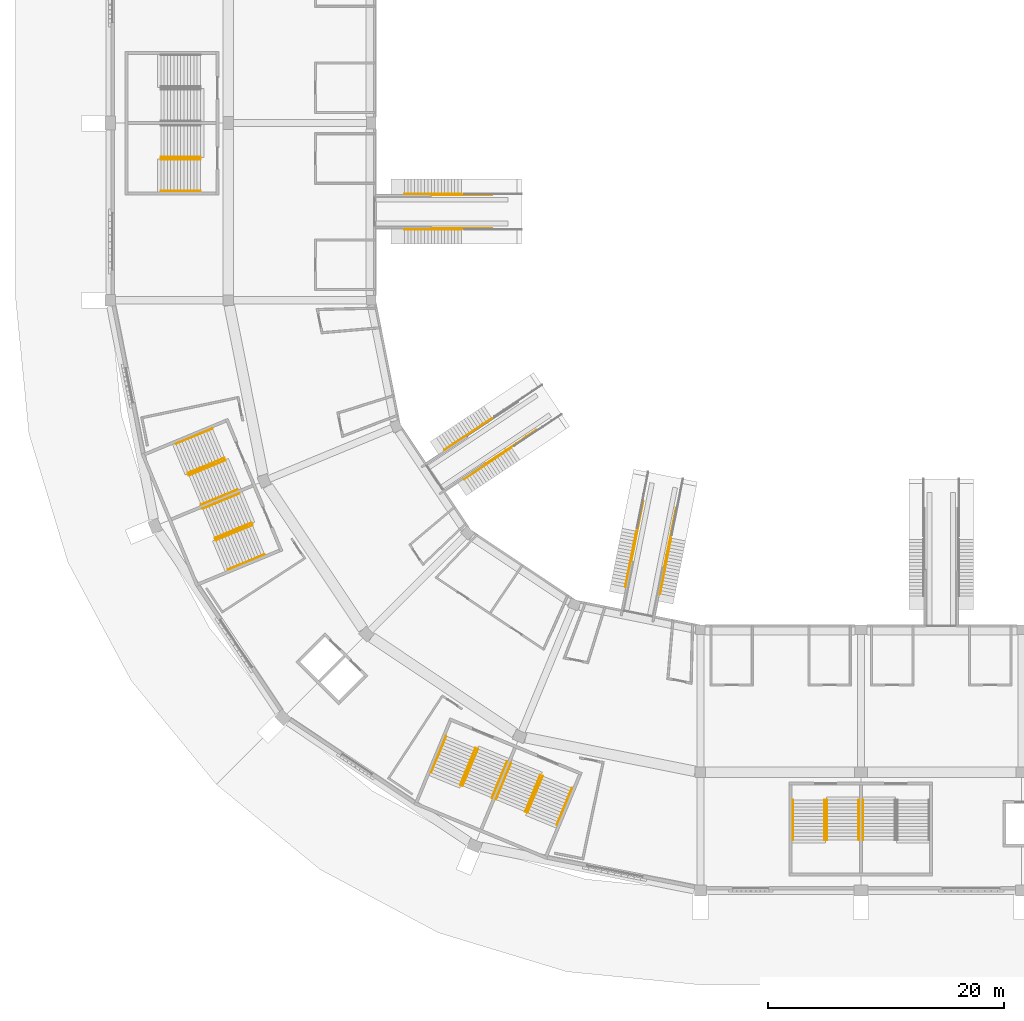
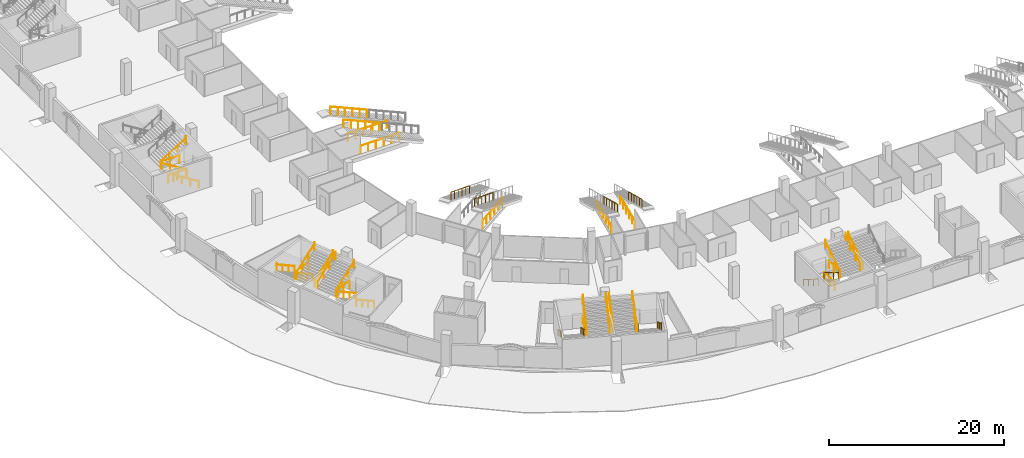
# One storey, part 154 of 175: 43 railings.
"""IFC4 building model written with IfcOpenShell, lengths in metres."""

from ifc_helpers import new_model, si_unit, direction, frame, origin, origin_2d, place, context, subcontext, project, spatial, circle, extrude, material, type_object, element, save


model = new_model("IFC4")

# Units and contexts
model_context = context("Model", 3, precision=1e-05, world=origin(), true_north=direction((0.0, 1.0)))
body_context = subcontext(model_context, "Body", "Model", "MODEL_VIEW")
ifc_project = project(units=[si_unit("LENGTHUNIT", "METRE"), si_unit("AREAUNIT", "SQUARE_METRE"), si_unit("VOLUMEUNIT", "CUBIC_METRE"), si_unit("PLANEANGLEUNIT", "RADIAN"), si_unit("MASSUNIT", "GRAM", prefix="KILO")], contexts=[model_context])

# Site, building, storey
site_placement = place(None, origin())
site = spatial("IfcSite", under=ifc_project, at=site_placement, CompositionType="ELEMENT")
building_placement = place(site_placement, origin())
building = spatial("IfcBuilding", under=site, at=building_placement, Name="Ogive Plaza Stadium", CompositionType="ELEMENT")
storey_placement = place(building_placement, origin())
storey = spatial("IfcBuildingStorey", under=building, at=storey_placement, Name="L00", CompositionType="ELEMENT", Elevation=0.0)

# Railings
ifc_material_1 = material(Name="Steel ASTM A572 Grade 50", Category="steel")
railing_type_1 = type_object("IfcRailingType", Name="Guard 1100", PredefinedType="GUARDRAIL", material=ifc_material_1)
for number, where, name in (
    (1, (-23.375, -94.85009765625, 0.0), "Stair well guard ST16A L00"),
    (2, (-23.375, -95.81005859375, 2.25), "Stair well guard ST16A L00"),
):
    element("IfcRailing", number, at=place(storey_placement, frame(where)), inside=storey, type_object=railing_type_1, Name=name, PredefinedType="GUARDRAIL", context=body_context, shape_type="SweptSolid", body=[
        extrude(circle(Radius=0.02392578125, at=origin_2d()), frame((0.0, 0.0, 1.076171875), z_axis=(0.0, -1.0, 0.0), x_axis=(1.0, 0.0, 0.0)), (0.0, 0.0, 1.0), 2.39990234375),
        extrude(circle(Radius=0.02099609375, at=origin_2d()), origin(), (0.0, 0.0, 1.0), 1.052001953125),
        extrude(circle(Radius=0.02099609375, at=origin_2d()), frame((0.0, -1.199951171875, 0.0)), (0.0, 0.0, 1.0), 1.052001953125),
        extrude(circle(Radius=0.02099609375, at=origin_2d()), frame((0.0, -2.39990234375, 0.0)), (0.0, 0.0, 1.0), 1.052001953125),
    ])
for number, where, name in (
    (3, (-53.322509765625, -91.374755859375, 2.25), "Stair well guard ST18A L00"),
    (4, (-47.825439453125, -93.651611328125, 2.25), "Stair well guard ST18B L00"),
):
    element("IfcRailing", number, at=place(storey_placement, frame(where)), inside=storey, type_object=railing_type_1, Name=name, PredefinedType="GUARDRAIL", context=body_context, shape_type="SweptSolid", body=[
        extrude(circle(Radius=0.02392578125, at=origin_2d()), frame((0.0, 0.0, 1.076171875), z_axis=(-0.382693194178, -0.923875488976, 0.0), x_axis=(0.923875488976, -0.382693194178, 0.0)), (0.0, 0.0, 1.0), 2.39990234375),
        extrude(circle(Radius=0.02099609375, at=origin_2d()), origin(), (0.0, 0.0, 1.0), 1.052001953125),
        extrude(circle(Radius=0.02099609375, at=origin_2d()), frame((-0.459228515625, -1.108642578125, 0.0)), (0.0, 0.0, 1.0), 1.052001953125),
        extrude(circle(Radius=0.02099609375, at=origin_2d()), frame((-0.91845703125, -2.21728515625, 0.0)), (0.0, 0.0, 1.0), 1.052001953125),
    ])
for number, where, name in (
    (5, (-75.151611328125, -66.325439453125, 2.25), "Stair well guard ST20A L00"),
    (6, (-72.874755859375, -71.822509765625, 2.25), "Stair well guard ST20B L00"),
):
    element("IfcRailing", number, at=place(storey_placement, frame(where)), inside=storey, type_object=railing_type_1, Name=name, PredefinedType="GUARDRAIL", context=body_context, shape_type="SweptSolid", body=[
        extrude(circle(Radius=0.02392578125, at=origin_2d()), frame((0.0, 0.0, 1.076171875), z_axis=(-0.923875488976, -0.382693194178, 0.0), x_axis=(0.382693194178, -0.923875488976, 0.0)), (0.0, 0.0, 1.0), 2.39990234375),
        extrude(circle(Radius=0.02099609375, at=origin_2d()), origin(), (0.0, 0.0, 1.0), 1.052001953125),
        extrude(circle(Radius=0.02099609375, at=origin_2d()), frame((-1.108642578125, -0.459228515625, 0.0)), (0.0, 0.0, 1.0), 1.052001953125),
        extrude(circle(Radius=0.02099609375, at=origin_2d()), frame((-2.21728515625, -0.91845703125, 0.0)), (0.0, 0.0, 1.0), 1.052001953125),
    ])
for number, where, name in (
    (7, (-76.35009765625, -40.47509765625, 0.0), "Stair well guard ST22B L00"),
    (8, (-77.31005859375, -40.47509765625, 2.25), "Stair well guard ST22B L00"),
):
    element("IfcRailing", number, at=place(storey_placement, frame(where)), inside=storey, type_object=railing_type_1, Name=name, PredefinedType="GUARDRAIL", context=body_context, shape_type="SweptSolid", body=[
        extrude(circle(Radius=0.02392578125, at=origin_2d()), frame((0.0, 0.0, 1.076171875), z_axis=(-1.0, 0.0, 0.0), x_axis=(0.0, -1.0, 0.0)), (0.0, 0.0, 1.0), 2.39990234375),
        extrude(circle(Radius=0.02099609375, at=origin_2d()), origin(), (0.0, 0.0, 1.0), 1.052001953125),
        extrude(circle(Radius=0.02099609375, at=origin_2d()), frame((-1.199951171875, 0.0, 0.0)), (0.0, 0.0, 1.0), 1.052001953125),
        extrude(circle(Radius=0.02099609375, at=origin_2d()), frame((-2.39990234375, 0.0, 0.0)), (0.0, 0.0, 1.0), 1.052001953125),
    ])
railing_1_placement = place(storey_placement, frame((-39.421875, -72.068359375, 2.375)))
element("IfcRailing", 9, at=railing_1_placement, inside=storey, type_object=railing_type_1, Name="Vomitory guard B17", PredefinedType="GUARDRAIL", context=body_context, shape_type="SweptSolid", body=[
    extrude(circle(Radius=0.02392578125, at=origin_2d()), frame((0.0, 0.0, 1.076171875), z_axis=(-0.178448795571, -0.897345164841, 0.403643013684), x_axis=(0.980794534709, -0.195043791709, 0.0)), (0.0, 0.0, 1.0), 5.2646484375),
    extrude(circle(Radius=0.02099609375, at=origin_2d()), origin(), (0.0, 0.0, 1.0), 1.052001953125),
    extrude(circle(Radius=0.02099609375, at=origin_2d()), frame((-0.18798828125, -0.94482421875, 0.425048828125)), (0.0, 0.0, 1.0), 1.052001953125),
    extrude(circle(Radius=0.02099609375, at=origin_2d()), frame((-0.375732421875, -1.8896484375, 0.85009765625)), (0.0, 0.0, 1.0), 1.052001953125),
    extrude(circle(Radius=0.02099609375, at=origin_2d()), frame((-0.563720703125, -2.83447265625, 1.27490234375)), (0.0, 0.0, 1.0), 1.052001953125),
    extrude(circle(Radius=0.02099609375, at=origin_2d()), frame((-0.75146484375, -3.779296875, 1.699951171875)), (0.0, 0.0, 1.0), 1.052001953125),
    extrude(circle(Radius=0.02099609375, at=origin_2d()), frame((-0.939453125, -4.72412109375, 2.125)), (0.0, 0.0, 1.0), 1.052001953125),
])
railing_2_placement = place(storey_placement, frame((-36.4794921875, -72.653564453125, 2.375)))
element("IfcRailing", 10, at=railing_2_placement, inside=storey, type_object=railing_type_1, Name="Vomitory guard B17", PredefinedType="GUARDRAIL", context=body_context, shape_type="SweptSolid", body=[
    extrude(circle(Radius=0.02392578125, at=origin_2d()), frame((0.0, 0.0, 1.076171875), z_axis=(-0.178493692695, -0.897337738024, 0.403639672959), x_axis=(0.980784837267, -0.1950925498, 0.0)), (0.0, 0.0, 1.0), 5.2646484375),
    extrude(circle(Radius=0.02099609375, at=origin_2d()), origin(), (0.0, 0.0, 1.0), 1.052001953125),
    extrude(circle(Radius=0.02099609375, at=origin_2d()), frame((-0.18798828125, -0.94482421875, 0.425048828125)), (0.0, 0.0, 1.0), 1.052001953125),
    extrude(circle(Radius=0.02099609375, at=origin_2d()), frame((-0.3759765625, -1.8896484375, 0.85009765625)), (0.0, 0.0, 1.0), 1.052001953125),
    extrude(circle(Radius=0.02099609375, at=origin_2d()), frame((-0.563720703125, -2.83447265625, 1.27490234375)), (0.0, 0.0, 1.0), 1.052001953125),
    extrude(circle(Radius=0.02099609375, at=origin_2d()), frame((-0.751708984375, -3.779296875, 1.699951171875)), (0.0, 0.0, 1.0), 1.052001953125),
    extrude(circle(Radius=0.02099609375, at=origin_2d()), frame((-0.939697265625, -4.72412109375, 2.125)), (0.0, 0.0, 1.0), 1.052001953125),
])
for number, where, name in (
    (11, (-38.834716796875, -69.52734375, 0.0), "Vomitory edge guard B17"),
    (12, (-36.04931640625, -70.081298828125, 0.0), "Vomitory edge guard B17"),
):
    element("IfcRailing", number, at=place(storey_placement, frame(where)), inside=storey, type_object=railing_type_1, Name=name, PredefinedType="GUARDRAIL", context=body_context, shape_type="SweptSolid", body=[
        extrude(circle(Radius=0.02392578125, at=origin_2d()), frame((0.0, 0.0, 1.076171875), z_axis=(-0.195105414578, -0.980782278185, 0.0), x_axis=(0.980782278185, -0.195105414578, 0.0)), (0.0, 0.0, 1.0), 5.15673828125),
        extrude(circle(Radius=0.02099609375, at=origin_2d()), origin(), (0.0, 0.0, 1.0), 1.052001953125),
        extrude(circle(Radius=0.02099609375, at=origin_2d()), frame((-0.201171875, -1.011474609375, 0.0)), (0.0, 0.0, 1.0), 1.052001953125),
        extrude(circle(Radius=0.02099609375, at=origin_2d()), frame((-0.40234375, -2.02294921875, 0.0)), (0.0, 0.0, 1.0), 1.052001953125),
        extrude(circle(Radius=0.02099609375, at=origin_2d()), frame((-0.603759765625, -3.03466796875, 0.0)), (0.0, 0.0, 1.0), 1.052001953125),
        extrude(circle(Radius=0.02099609375, at=origin_2d()), frame((-0.804931640625, -4.046142578125, 0.0)), (0.0, 0.0, 1.0), 1.052001953125),
        extrude(circle(Radius=0.02099609375, at=origin_2d()), frame((-1.006103515625, -5.0576171875, 0.0)), (0.0, 0.0, 1.0), 1.052001953125),
    ])
for number, where, name in (
    (13, (-51.670654296875, -62.503173828125, 2.375), "Vomitory guard B19"),
    (14, (-50.00390625, -64.99755859375, 2.375), "Vomitory guard B19"),
):
    element("IfcRailing", number, at=place(storey_placement, frame(where)), inside=storey, type_object=railing_type_1, Name=name, PredefinedType="GUARDRAIL", context=body_context, shape_type="SweptSolid", body=[
        extrude(circle(Radius=0.02392578125, at=origin_2d()), frame((0.0, 0.0, 1.076171875), z_axis=(-0.760721903755, -0.508307290116, 0.403640785801), x_axis=(0.555577158095, -0.831464985073, 0.0)), (0.0, 0.0, 1.0), 5.2646484375),
        extrude(circle(Radius=0.02099609375, at=origin_2d()), origin(), (0.0, 0.0, 1.0), 1.052001953125),
        extrude(circle(Radius=0.02099609375, at=origin_2d()), frame((-0.801025390625, -0.53515625, 0.425048828125)), (0.0, 0.0, 1.0), 1.052001953125),
        extrude(circle(Radius=0.02099609375, at=origin_2d()), frame((-1.60205078125, -1.0703125, 0.85009765625)), (0.0, 0.0, 1.0), 1.052001953125),
        extrude(circle(Radius=0.02099609375, at=origin_2d()), frame((-2.40283203125, -1.605712890625, 1.27490234375)), (0.0, 0.0, 1.0), 1.052001953125),
        extrude(circle(Radius=0.02099609375, at=origin_2d()), frame((-3.203857421875, -2.140869140625, 1.699951171875)), (0.0, 0.0, 1.0), 1.052001953125),
        extrude(circle(Radius=0.02099609375, at=origin_2d()), frame((-4.0048828125, -2.676025390625, 2.125)), (0.0, 0.0, 1.0), 1.052001953125),
    ])
railing_3_placement = place(storey_placement, frame((-47.881103515625, -63.48291015625, 0.0)))
element("IfcRailing", 15, at=railing_3_placement, inside=storey, type_object=railing_type_1, Name="Vomitory edge guard B19", PredefinedType="GUARDRAIL", context=body_context, shape_type="SweptSolid", body=[
    extrude(circle(Radius=0.02392578125, at=origin_2d()), frame((0.0, 0.0, 1.076171875), z_axis=(-0.831481711871, -0.555552124308, 0.0), x_axis=(0.555552124308, -0.831481711871, 0.0)), (0.0, 0.0, 1.0), 5.156494140625),
    extrude(circle(Radius=0.02099609375, at=origin_2d()), origin(), (0.0, 0.0, 1.0), 1.052001953125),
    extrude(circle(Radius=0.02099609375, at=origin_2d()), frame((-0.857421875, -0.572998046875, 0.0)), (0.0, 0.0, 1.0), 1.052001953125),
    extrude(circle(Radius=0.02099609375, at=origin_2d()), frame((-1.715087890625, -1.14599609375, 0.0)), (0.0, 0.0, 1.0), 1.052001953125),
    extrude(circle(Radius=0.02099609375, at=origin_2d()), frame((-2.572509765625, -1.71875, 0.0)), (0.0, 0.0, 1.0), 1.052001953125),
    extrude(circle(Radius=0.02099609375, at=origin_2d()), frame((-3.43017578125, -2.291748046875, 0.0)), (0.0, 0.0, 1.0), 1.052001953125),
    extrude(circle(Radius=0.02099609375, at=origin_2d()), frame((-4.28759765625, -2.86474609375, 0.0)), (0.0, 0.0, 1.0), 1.052001953125),
])
for number, where, name in (
    (16, (-54.25, -43.5, 2.375), "Vomitory guard B21"),
    (17, (-54.25, -46.5, 2.375), "Vomitory guard B21"),
):
    element("IfcRailing", number, at=place(storey_placement, frame(where)), inside=storey, type_object=railing_type_1, Name=name, PredefinedType="GUARDRAIL", context=body_context, shape_type="SweptSolid", body=[
        extrude(circle(Radius=0.02392578125, at=origin_2d()), frame((0.0, 0.0, 1.076171875), z_axis=(-0.914917297869, 0.0, 0.403641348302), x_axis=(0.0, -1.0, 0.0)), (0.0, 0.0, 1.0), 5.2646484375),
        extrude(circle(Radius=0.02099609375, at=origin_2d()), origin(), (0.0, 0.0, 1.0), 1.052001953125),
        extrude(circle(Radius=0.02099609375, at=origin_2d()), frame((-0.96337890625, 0.0, 0.425048828125)), (0.0, 0.0, 1.0), 1.052001953125),
        extrude(circle(Radius=0.02099609375, at=origin_2d()), frame((-1.9267578125, 0.0, 0.85009765625)), (0.0, 0.0, 1.0), 1.052001953125),
        extrude(circle(Radius=0.02099609375, at=origin_2d()), frame((-2.889892578125, 0.0, 1.27490234375)), (0.0, 0.0, 1.0), 1.052001953125),
        extrude(circle(Radius=0.02099609375, at=origin_2d()), frame((-3.853271484375, 0.0, 1.699951171875)), (0.0, 0.0, 1.0), 1.052001953125),
        extrude(circle(Radius=0.02099609375, at=origin_2d()), frame((-4.816650390625, 0.0, 2.125)), (0.0, 0.0, 1.0), 1.052001953125),
    ])
for number, where, name in (
    (18, (-51.643310546875, -43.580078125, 0.0), "Vomitory edge guard B21"),
    (19, (-51.643310546875, -46.419921875, 0.0), "Vomitory edge guard B21"),
):
    element("IfcRailing", number, at=place(storey_placement, frame(where)), inside=storey, type_object=railing_type_1, Name=name, PredefinedType="GUARDRAIL", context=body_context, shape_type="SweptSolid", body=[
        extrude(circle(Radius=0.02392578125, at=origin_2d()), frame((0.0, 0.0, 1.076171875), z_axis=(-1.0, 0.0, 0.0), x_axis=(0.0, -1.0, 0.0)), (0.0, 0.0, 1.0), 5.15673828125),
        extrude(circle(Radius=0.02099609375, at=origin_2d()), origin(), (0.0, 0.0, 1.0), 1.052001953125),
        extrude(circle(Radius=0.02099609375, at=origin_2d()), frame((-1.03125, 0.0, 0.0)), (0.0, 0.0, 1.0), 1.052001953125),
        extrude(circle(Radius=0.02099609375, at=origin_2d()), frame((-2.062744140625, 0.0, 0.0)), (0.0, 0.0, 1.0), 1.052001953125),
        extrude(circle(Radius=0.02099609375, at=origin_2d()), frame((-3.093994140625, 0.0, 0.0)), (0.0, 0.0, 1.0), 1.052001953125),
        extrude(circle(Radius=0.02099609375, at=origin_2d()), frame((-4.12548828125, 0.0, 0.0)), (0.0, 0.0, 1.0), 1.052001953125),
        extrude(circle(Radius=0.02099609375, at=origin_2d()), frame((-5.15673828125, 0.0, 0.0)), (0.0, 0.0, 1.0), 1.052001953125),
    ])
ifc_material_2 = material(Name="Steel ASTM A572 Grade 50", Category="steel")
railing_type_2 = type_object("IfcRailingType", Name="Handrail 900", PredefinedType="HANDRAIL", material=ifc_material_2)
for number, where, name in (
    (20, (-26.1650390625, -94.85009765625, 0.173095703125), "Handrail ST16A L00"),
    (21, (-23.485107421875, -94.85009765625, 0.173095703125), "Handrail ST16A L00"),
):
    element("IfcRailing", number, at=place(storey_placement, frame(where)), inside=storey, type_object=railing_type_2, Name=name, PredefinedType="HANDRAIL", context=body_context, shape_type="SweptSolid", body=[
        extrude(circle(Radius=0.02392578125, at=origin_2d()), frame((0.0, 0.0, 0.8759765625), z_axis=(0.0, -0.850606129759, 0.525803396734), x_axis=(1.0, 0.0, 0.0)), (0.0, 0.0, 1.0), 3.949951171875),
        extrude(circle(Radius=0.02099609375, at=origin_2d()), origin(), (0.0, 0.0, 1.0), 0.851806640625),
        extrude(circle(Radius=0.02099609375, at=origin_2d()), frame((0.0, -1.119873046875, 0.6923828125)), (0.0, 0.0, 1.0), 0.851806640625),
        extrude(circle(Radius=0.02099609375, at=origin_2d()), frame((0.0, -2.239990234375, 1.384521484375)), (0.0, 0.0, 1.0), 0.851806640625),
        extrude(circle(Radius=0.02099609375, at=origin_2d()), frame((0.0, -3.35986328125, 2.076904296875)), (0.0, 0.0, 1.0), 1.10009765625),
    ])
for number, where, name in (
    (22, (-23.264892578125, -98.2099609375, 2.423095703125), "Handrail ST16A L00"),
    (23, (-20.5849609375, -98.2099609375, 2.423095703125), "Handrail ST16A L00"),
    (24, (-20.215087890625, -98.2099609375, 2.423095703125), "Handrail ST16B L00"),
):
    element("IfcRailing", number, at=place(storey_placement, frame(where)), inside=storey, type_object=railing_type_2, Name=name, PredefinedType="HANDRAIL", context=body_context, shape_type="SweptSolid", body=[
        extrude(circle(Radius=0.02392578125, at=origin_2d()), frame((0.0, 0.0, 0.8759765625), z_axis=(0.0, 0.850606129759, 0.525803396734), x_axis=(-1.0, 0.0, 0.0)), (0.0, 0.0, 1.0), 3.949951171875),
        extrude(circle(Radius=0.02099609375, at=origin_2d()), origin(), (0.0, 0.0, 1.0), 0.851806640625),
        extrude(circle(Radius=0.02099609375, at=origin_2d()), frame((0.0, 1.119873046875, 0.6923828125)), (0.0, 0.0, 1.0), 0.851806640625),
        extrude(circle(Radius=0.02099609375, at=origin_2d()), frame((0.0, 2.239990234375, 1.384521484375)), (0.0, 0.0, 1.0), 0.851806640625),
        extrude(circle(Radius=0.02099609375, at=origin_2d()), frame((0.0, 3.35986328125, 2.076904296875)), (0.0, 0.0, 1.0), 1.10009765625),
    ])
railing_4_placement = place(storey_placement, frame((-55.53271484375, -89.420166015625, 0.173095703125)))
element("IfcRailing", 25, at=railing_4_placement, inside=storey, type_object=railing_type_2, Name="Handrail ST18A L00", PredefinedType="HANDRAIL", context=body_context, shape_type="SweptSolid", body=[
    extrude(circle(Radius=0.02392578125, at=origin_2d()), frame((0.0, 0.0, 0.8759765625), z_axis=(-0.32553207776, -0.785862990074, 0.525783441334), x_axis=(0.923872479269, -0.382700459954, 0.0)), (0.0, 0.0, 1.0), 3.9501953125),
    extrude(circle(Radius=0.02099609375, at=origin_2d()), origin(), (0.0, 0.0, 1.0), 0.851806640625),
    extrude(circle(Radius=0.02099609375, at=origin_2d()), frame((-0.4287109375, -1.03466796875, 0.6923828125)), (0.0, 0.0, 1.0), 0.851806640625),
    extrude(circle(Radius=0.02099609375, at=origin_2d()), frame((-0.857177734375, -2.069580078125, 1.384521484375)), (0.0, 0.0, 1.0), 0.851806640625),
    extrude(circle(Radius=0.02099609375, at=origin_2d()), frame((-1.285888671875, -3.104248046875, 2.076904296875)), (0.0, 0.0, 1.0), 1.10009765625),
])
railing_5_placement = place(storey_placement, frame((-53.056884765625, -90.44580078125, 0.173095703125)))
element("IfcRailing", 26, at=railing_5_placement, inside=storey, type_object=railing_type_2, Name="Handrail ST18A L00", PredefinedType="HANDRAIL", context=body_context, shape_type="SweptSolid", body=[
    extrude(circle(Radius=0.02392578125, at=origin_2d()), frame((0.0, 0.0, 0.8759765625), z_axis=(-0.325476819766, -0.785878800478, 0.525794019321), x_axis=(0.923898168054, -0.382638439086, 0.0)), (0.0, 0.0, 1.0), 3.949951171875),
    extrude(circle(Radius=0.02099609375, at=origin_2d()), origin(), (0.0, 0.0, 1.0), 0.851806640625),
    extrude(circle(Radius=0.02099609375, at=origin_2d()), frame((-0.428466796875, -1.03466796875, 0.6923828125)), (0.0, 0.0, 1.0), 0.851806640625),
    extrude(circle(Radius=0.02099609375, at=origin_2d()), frame((-0.857177734375, -2.069580078125, 1.384521484375)), (0.0, 0.0, 1.0), 0.851806640625),
    extrude(circle(Radius=0.02099609375, at=origin_2d()), frame((-1.28564453125, -3.104248046875, 2.076904296875)), (0.0, 0.0, 1.0), 1.10009765625),
])
railing_6_placement = place(storey_placement, frame((-54.139404296875, -93.634033203125, 2.423095703125)))
element("IfcRailing", 27, at=railing_6_placement, inside=storey, type_object=railing_type_2, Name="Handrail ST18A L00", PredefinedType="HANDRAIL", context=body_context, shape_type="SweptSolid", body=[
    extrude(circle(Radius=0.02392578125, at=origin_2d()), frame((0.0, 0.0, 0.8759765625), z_axis=(0.325547889718, 0.78583935255, 0.525808980033), x_axis=(-0.923861836433, 0.382726151683, 0.0)), (0.0, 0.0, 1.0), 3.949951171875),
    extrude(circle(Radius=0.02099609375, at=origin_2d()), origin(), (0.0, 0.0, 1.0), 0.851806640625),
    extrude(circle(Radius=0.02099609375, at=origin_2d()), frame((0.4287109375, 1.03466796875, 0.6923828125)), (0.0, 0.0, 1.0), 0.851806640625),
    extrude(circle(Radius=0.02099609375, at=origin_2d()), frame((0.857177734375, 2.0693359375, 1.384521484375)), (0.0, 0.0, 1.0), 0.851806640625),
    extrude(circle(Radius=0.02099609375, at=origin_2d()), frame((1.285888671875, 3.10400390625, 2.076904296875)), (0.0, 0.0, 1.0), 1.10009765625),
])
railing_7_placement = place(storey_placement, frame((-51.663330078125, -94.65966796875, 2.423095703125)))
element("IfcRailing", 28, at=railing_7_placement, inside=storey, type_object=railing_type_2, Name="Handrail ST18A L00", PredefinedType="HANDRAIL", context=body_context, shape_type="SweptSolid", body=[
    extrude(circle(Radius=0.02392578125, at=origin_2d()), frame((0.0, 0.0, 0.8759765625), z_axis=(0.32553207776, 0.785862990074, 0.525783441334), x_axis=(-0.923872479269, 0.382700459954, 0.0)), (0.0, 0.0, 1.0), 3.9501953125),
    extrude(circle(Radius=0.02099609375, at=origin_2d()), origin(), (0.0, 0.0, 1.0), 0.851806640625),
    extrude(circle(Radius=0.02099609375, at=origin_2d()), frame((0.4287109375, 1.03466796875, 0.6923828125)), (0.0, 0.0, 1.0), 0.851806640625),
    extrude(circle(Radius=0.02099609375, at=origin_2d()), frame((0.857177734375, 2.069580078125, 1.384521484375)), (0.0, 0.0, 1.0), 0.851806640625),
    extrude(circle(Radius=0.02099609375, at=origin_2d()), frame((1.285888671875, 3.104248046875, 2.076904296875)), (0.0, 0.0, 1.0), 1.10009765625),
])
for number, where, name in (
    (29, (-47.3564453125, -92.806884765625, 0.173095703125), "Handrail ST18B L00"),
    (30, (-44.88037109375, -93.83251953125, 0.173095703125), "Handrail ST18B L00"),
):
    element("IfcRailing", number, at=place(storey_placement, frame(where)), inside=storey, type_object=railing_type_2, Name=name, PredefinedType="HANDRAIL", context=body_context, shape_type="SweptSolid", body=[
        extrude(circle(Radius=0.02392578125, at=origin_2d()), frame((0.0, 0.0, 0.8759765625), z_axis=(-0.32553207776, -0.785862990074, 0.525783441334), x_axis=(0.923872479269, -0.382700459954, 0.0)), (0.0, 0.0, 1.0), 3.9501953125),
        extrude(circle(Radius=0.02099609375, at=origin_2d()), origin(), (0.0, 0.0, 1.0), 0.851806640625),
        extrude(circle(Radius=0.02099609375, at=origin_2d()), frame((-0.4287109375, -1.03466796875, 0.6923828125)), (0.0, 0.0, 1.0), 0.851806640625),
        extrude(circle(Radius=0.02099609375, at=origin_2d()), frame((-0.857177734375, -2.069580078125, 1.384521484375)), (0.0, 0.0, 1.0), 0.851806640625),
        extrude(circle(Radius=0.02099609375, at=origin_2d()), frame((-1.285888671875, -3.104248046875, 2.076904296875)), (0.0, 0.0, 1.0), 1.10009765625),
    ])
railing_8_placement = place(storey_placement, frame((-51.321533203125, -94.80126953125, 2.423095703125)))
element("IfcRailing", 31, at=railing_8_placement, inside=storey, type_object=railing_type_2, Name="Handrail ST18B L00", PredefinedType="HANDRAIL", context=body_context, shape_type="SweptSolid", body=[
    extrude(circle(Radius=0.02392578125, at=origin_2d()), frame((0.0, 0.0, 0.8759765625), z_axis=(0.32553207776, 0.785862990074, 0.525783441334), x_axis=(-0.923872479269, 0.382700459954, 0.0)), (0.0, 0.0, 1.0), 3.9501953125),
    extrude(circle(Radius=0.02099609375, at=origin_2d()), origin(), (0.0, 0.0, 1.0), 0.851806640625),
    extrude(circle(Radius=0.02099609375, at=origin_2d()), frame((0.4287109375, 1.03466796875, 0.6923828125)), (0.0, 0.0, 1.0), 0.851806640625),
    extrude(circle(Radius=0.02099609375, at=origin_2d()), frame((0.857177734375, 2.069580078125, 1.384521484375)), (0.0, 0.0, 1.0), 0.851806640625),
    extrude(circle(Radius=0.02099609375, at=origin_2d()), frame((1.285888671875, 3.104248046875, 2.076904296875)), (0.0, 0.0, 1.0), 1.10009765625),
])
railing_9_placement = place(storey_placement, frame((-48.845458984375, -95.826904296875, 2.423095703125)))
element("IfcRailing", 32, at=railing_9_placement, inside=storey, type_object=railing_type_2, Name="Handrail ST18B L00", PredefinedType="HANDRAIL", context=body_context, shape_type="SweptSolid", body=[
    extrude(circle(Radius=0.02392578125, at=origin_2d()), frame((0.0, 0.0, 0.8759765625), z_axis=(0.325476819766, 0.785878800478, 0.525794019321), x_axis=(-0.923898168054, 0.382638439086, 0.0)), (0.0, 0.0, 1.0), 3.949951171875),
    extrude(circle(Radius=0.02099609375, at=origin_2d()), origin(), (0.0, 0.0, 1.0), 0.851806640625),
    extrude(circle(Radius=0.02099609375, at=origin_2d()), frame((0.428466796875, 1.03466796875, 0.6923828125)), (0.0, 0.0, 1.0), 0.851806640625),
    extrude(circle(Radius=0.02099609375, at=origin_2d()), frame((0.857177734375, 2.069580078125, 1.384521484375)), (0.0, 0.0, 1.0), 0.851806640625),
    extrude(circle(Radius=0.02099609375, at=origin_2d()), frame((1.28564453125, 3.104248046875, 2.076904296875)), (0.0, 0.0, 1.0), 1.10009765625),
])
for number, where, name in (
    (33, (-75.33251953125, -63.38037109375, 0.173095703125), "Handrail ST20A L00"),
    (34, (-74.306884765625, -65.8564453125, 0.173095703125), "Handrail ST20A L00"),
):
    element("IfcRailing", number, at=place(storey_placement, frame(where)), inside=storey, type_object=railing_type_2, Name=name, PredefinedType="HANDRAIL", context=body_context, shape_type="SweptSolid", body=[
        extrude(circle(Radius=0.02392578125, at=origin_2d()), frame((0.0, 0.0, 0.8759765625), z_axis=(-0.785862990074, -0.32553207776, 0.525783441334), x_axis=(0.382700459954, -0.923872479269, 0.0)), (0.0, 0.0, 1.0), 3.9501953125),
        extrude(circle(Radius=0.02099609375, at=origin_2d()), origin(), (0.0, 0.0, 1.0), 0.851806640625),
        extrude(circle(Radius=0.02099609375, at=origin_2d()), frame((-1.03466796875, -0.4287109375, 0.6923828125)), (0.0, 0.0, 1.0), 0.851806640625),
        extrude(circle(Radius=0.02099609375, at=origin_2d()), frame((-2.069580078125, -0.857177734375, 1.384521484375)), (0.0, 0.0, 1.0), 0.851806640625),
        extrude(circle(Radius=0.02099609375, at=origin_2d()), frame((-3.104248046875, -1.285888671875, 2.076904296875)), (0.0, 0.0, 1.0), 1.10009765625),
    ])
railing_10_placement = place(storey_placement, frame((-77.326904296875, -67.345458984375, 2.423095703125)))
element("IfcRailing", 35, at=railing_10_placement, inside=storey, type_object=railing_type_2, Name="Handrail ST20A L00", PredefinedType="HANDRAIL", context=body_context, shape_type="SweptSolid", body=[
    extrude(circle(Radius=0.02392578125, at=origin_2d()), frame((0.0, 0.0, 0.8759765625), z_axis=(0.785878800478, 0.325476819766, 0.525794019321), x_axis=(-0.382638439086, 0.923898168054, 0.0)), (0.0, 0.0, 1.0), 3.949951171875),
    extrude(circle(Radius=0.02099609375, at=origin_2d()), origin(), (0.0, 0.0, 1.0), 0.851806640625),
    extrude(circle(Radius=0.02099609375, at=origin_2d()), frame((1.03466796875, 0.428466796875, 0.6923828125)), (0.0, 0.0, 1.0), 0.851806640625),
    extrude(circle(Radius=0.02099609375, at=origin_2d()), frame((2.069580078125, 0.857177734375, 1.384521484375)), (0.0, 0.0, 1.0), 0.851806640625),
    extrude(circle(Radius=0.02099609375, at=origin_2d()), frame((3.104248046875, 1.28564453125, 2.076904296875)), (0.0, 0.0, 1.0), 1.10009765625),
])
railing_11_placement = place(storey_placement, frame((-76.30126953125, -69.821533203125, 2.423095703125)))
element("IfcRailing", 36, at=railing_11_placement, inside=storey, type_object=railing_type_2, Name="Handrail ST20A L00", PredefinedType="HANDRAIL", context=body_context, shape_type="SweptSolid", body=[
    extrude(circle(Radius=0.02392578125, at=origin_2d()), frame((0.0, 0.0, 0.8759765625), z_axis=(0.785862990074, 0.32553207776, 0.525783441334), x_axis=(-0.382700459954, 0.923872479269, 0.0)), (0.0, 0.0, 1.0), 3.9501953125),
    extrude(circle(Radius=0.02099609375, at=origin_2d()), origin(), (0.0, 0.0, 1.0), 0.851806640625),
    extrude(circle(Radius=0.02099609375, at=origin_2d()), frame((1.03466796875, 0.4287109375, 0.6923828125)), (0.0, 0.0, 1.0), 0.851806640625),
    extrude(circle(Radius=0.02099609375, at=origin_2d()), frame((2.069580078125, 0.857177734375, 1.384521484375)), (0.0, 0.0, 1.0), 0.851806640625),
    extrude(circle(Radius=0.02099609375, at=origin_2d()), frame((3.104248046875, 1.285888671875, 2.076904296875)), (0.0, 0.0, 1.0), 1.10009765625),
])
railing_12_placement = place(storey_placement, frame((-71.94580078125, -71.556884765625, 0.173095703125)))
element("IfcRailing", 37, at=railing_12_placement, inside=storey, type_object=railing_type_2, Name="Handrail ST20B L00", PredefinedType="HANDRAIL", context=body_context, shape_type="SweptSolid", body=[
    extrude(circle(Radius=0.02392578125, at=origin_2d()), frame((0.0, 0.0, 0.8759765625), z_axis=(-0.785878800478, -0.325476819766, 0.525794019321), x_axis=(0.382638439086, -0.923898168054, 0.0)), (0.0, 0.0, 1.0), 3.949951171875),
    extrude(circle(Radius=0.02099609375, at=origin_2d()), origin(), (0.0, 0.0, 1.0), 0.851806640625),
    extrude(circle(Radius=0.02099609375, at=origin_2d()), frame((-1.03466796875, -0.428466796875, 0.6923828125)), (0.0, 0.0, 1.0), 0.851806640625),
    extrude(circle(Radius=0.02099609375, at=origin_2d()), frame((-2.069580078125, -0.857177734375, 1.384521484375)), (0.0, 0.0, 1.0), 0.851806640625),
    extrude(circle(Radius=0.02099609375, at=origin_2d()), frame((-3.104248046875, -1.28564453125, 2.076904296875)), (0.0, 0.0, 1.0), 1.10009765625),
])
railing_13_placement = place(storey_placement, frame((-70.920166015625, -74.03271484375, 0.173095703125)))
element("IfcRailing", 38, at=railing_13_placement, inside=storey, type_object=railing_type_2, Name="Handrail ST20B L00", PredefinedType="HANDRAIL", context=body_context, shape_type="SweptSolid", body=[
    extrude(circle(Radius=0.02392578125, at=origin_2d()), frame((0.0, 0.0, 0.8759765625), z_axis=(-0.785862990074, -0.32553207776, 0.525783441334), x_axis=(0.382700459954, -0.923872479269, 0.0)), (0.0, 0.0, 1.0), 3.9501953125),
    extrude(circle(Radius=0.02099609375, at=origin_2d()), origin(), (0.0, 0.0, 1.0), 0.851806640625),
    extrude(circle(Radius=0.02099609375, at=origin_2d()), frame((-1.03466796875, -0.4287109375, 0.6923828125)), (0.0, 0.0, 1.0), 0.851806640625),
    extrude(circle(Radius=0.02099609375, at=origin_2d()), frame((-2.069580078125, -0.857177734375, 1.384521484375)), (0.0, 0.0, 1.0), 0.851806640625),
    extrude(circle(Radius=0.02099609375, at=origin_2d()), frame((-3.104248046875, -1.285888671875, 2.076904296875)), (0.0, 0.0, 1.0), 1.10009765625),
])
railing_14_placement = place(storey_placement, frame((-76.15966796875, -70.163330078125, 2.423095703125)))
element("IfcRailing", 39, at=railing_14_placement, inside=storey, type_object=railing_type_2, Name="Handrail ST20B L00", PredefinedType="HANDRAIL", context=body_context, shape_type="SweptSolid", body=[
    extrude(circle(Radius=0.02392578125, at=origin_2d()), frame((0.0, 0.0, 0.8759765625), z_axis=(0.785862990074, 0.32553207776, 0.525783441334), x_axis=(-0.382700459954, 0.923872479269, 0.0)), (0.0, 0.0, 1.0), 3.9501953125),
    extrude(circle(Radius=0.02099609375, at=origin_2d()), origin(), (0.0, 0.0, 1.0), 0.851806640625),
    extrude(circle(Radius=0.02099609375, at=origin_2d()), frame((1.03466796875, 0.4287109375, 0.6923828125)), (0.0, 0.0, 1.0), 0.851806640625),
    extrude(circle(Radius=0.02099609375, at=origin_2d()), frame((2.069580078125, 0.857177734375, 1.384521484375)), (0.0, 0.0, 1.0), 0.851806640625),
    extrude(circle(Radius=0.02099609375, at=origin_2d()), frame((3.104248046875, 1.285888671875, 2.076904296875)), (0.0, 0.0, 1.0), 1.10009765625),
])
railing_15_placement = place(storey_placement, frame((-75.134033203125, -72.639404296875, 2.423095703125)))
element("IfcRailing", 40, at=railing_15_placement, inside=storey, type_object=railing_type_2, Name="Handrail ST20B L00", PredefinedType="HANDRAIL", context=body_context, shape_type="SweptSolid", body=[
    extrude(circle(Radius=0.02392578125, at=origin_2d()), frame((0.0, 0.0, 0.8759765625), z_axis=(0.78583935255, 0.325547889718, 0.525808980033), x_axis=(-0.382726151683, 0.923861836433, 0.0)), (0.0, 0.0, 1.0), 3.949951171875),
    extrude(circle(Radius=0.02099609375, at=origin_2d()), origin(), (0.0, 0.0, 1.0), 0.851806640625),
    extrude(circle(Radius=0.02099609375, at=origin_2d()), frame((1.03466796875, 0.4287109375, 0.6923828125)), (0.0, 0.0, 1.0), 0.851806640625),
    extrude(circle(Radius=0.02099609375, at=origin_2d()), frame((2.0693359375, 0.857177734375, 1.384521484375)), (0.0, 0.0, 1.0), 0.851806640625),
    extrude(circle(Radius=0.02099609375, at=origin_2d()), frame((3.10400390625, 1.285888671875, 2.076904296875)), (0.0, 0.0, 1.0), 1.10009765625),
])
for number, where, name in (
    (41, (-76.35009765625, -40.5849609375, 0.173095703125), "Handrail ST22B L00"),
    (42, (-76.35009765625, -43.264892578125, 0.173095703125), "Handrail ST22B L00"),
):
    element("IfcRailing", number, at=place(storey_placement, frame(where)), inside=storey, type_object=railing_type_2, Name=name, PredefinedType="HANDRAIL", context=body_context, shape_type="SweptSolid", body=[
        extrude(circle(Radius=0.02392578125, at=origin_2d()), frame((0.0, 0.0, 0.8759765625), z_axis=(-0.850606129759, 0.0, 0.525803396734), x_axis=(0.0, -1.0, 0.0)), (0.0, 0.0, 1.0), 3.949951171875),
        extrude(circle(Radius=0.02099609375, at=origin_2d()), origin(), (0.0, 0.0, 1.0), 0.851806640625),
        extrude(circle(Radius=0.02099609375, at=origin_2d()), frame((-1.119873046875, 0.0, 0.6923828125)), (0.0, 0.0, 1.0), 0.851806640625),
        extrude(circle(Radius=0.02099609375, at=origin_2d()), frame((-2.239990234375, 0.0, 1.384521484375)), (0.0, 0.0, 1.0), 0.851806640625),
        extrude(circle(Radius=0.02099609375, at=origin_2d()), frame((-3.35986328125, 0.0, 2.076904296875)), (0.0, 0.0, 1.0), 1.10009765625),
    ])
railing_16_placement = place(storey_placement, frame((-79.7099609375, -40.364990234375, 2.423095703125)))
element("IfcRailing", 43, at=railing_16_placement, inside=storey, type_object=railing_type_2, Name="Handrail ST22B L00", PredefinedType="HANDRAIL", context=body_context, shape_type="SweptSolid", body=[
    extrude(circle(Radius=0.02392578125, at=origin_2d()), frame((0.0, 0.0, 0.8759765625), z_axis=(0.850606129759, 0.0, 0.525803396734), x_axis=(0.0, 1.0, 0.0)), (0.0, 0.0, 1.0), 3.949951171875),
    extrude(circle(Radius=0.02099609375, at=origin_2d()), origin(), (0.0, 0.0, 1.0), 0.851806640625),
    extrude(circle(Radius=0.02099609375, at=origin_2d()), frame((1.119873046875, 0.0, 0.6923828125)), (0.0, 0.0, 1.0), 0.851806640625),
    extrude(circle(Radius=0.02099609375, at=origin_2d()), frame((2.239990234375, 0.0, 1.384521484375)), (0.0, 0.0, 1.0), 0.851806640625),
    extrude(circle(Radius=0.02099609375, at=origin_2d()), frame((3.35986328125, 0.0, 2.076904296875)), (0.0, 0.0, 1.0), 1.10009765625),
])

save(model, "model.ifc")
